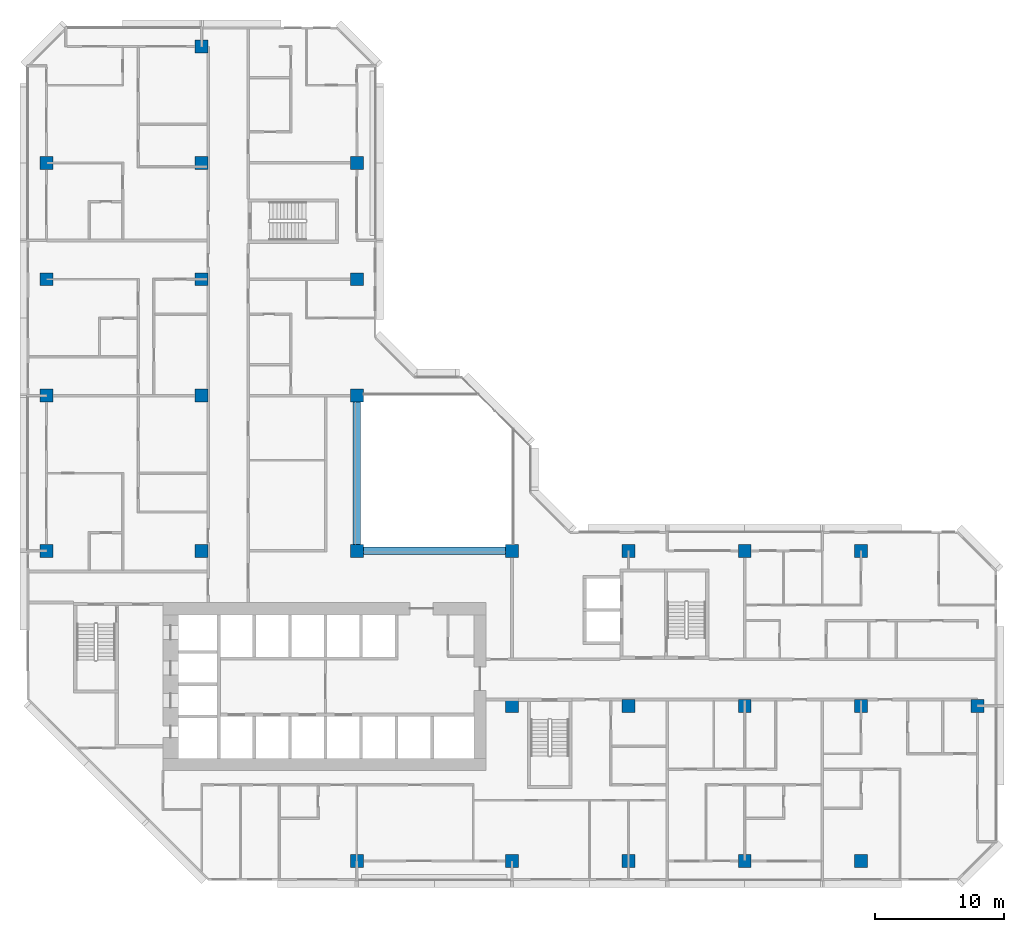
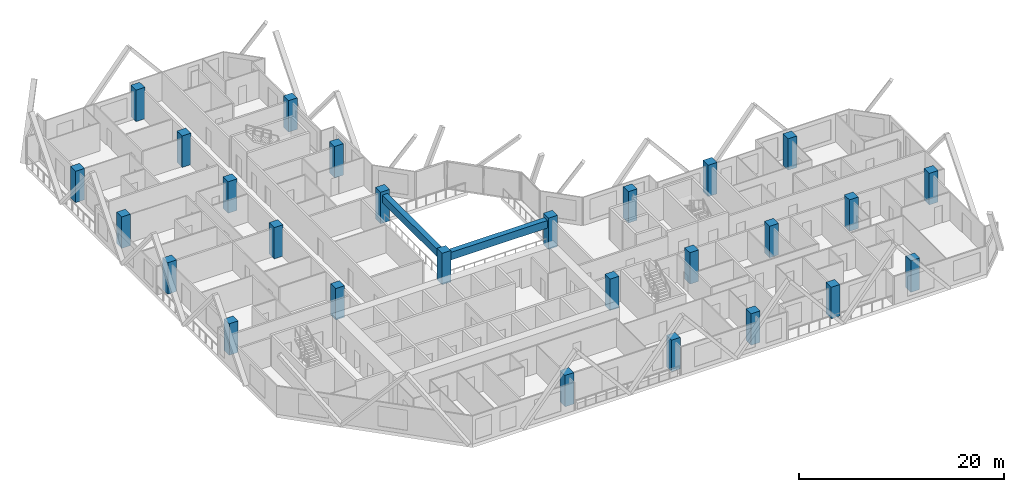
# One storey, part 1 of 15: 27 columns, 2 beams.
"""IFC4 building model written with IfcOpenShell, lengths in metres."""

from ifc_helpers import new_model, si_unit, direction, frame, origin, origin_2d, place, context, subcontext, project, spatial, rectangle, extrude, material, material_profile, profile_set, type_object, element, save


model = new_model("IFC4")

# Units and contexts
model_context = context("Model", 3, precision=1e-05, world=origin(), true_north=direction((0.0, 1.0)))
body_context = subcontext(model_context, "Body", "Model", "MODEL_VIEW")
ifc_project = project(units=[si_unit("LENGTHUNIT", "METRE"), si_unit("AREAUNIT", "SQUARE_METRE"), si_unit("VOLUMEUNIT", "CUBIC_METRE"), si_unit("PLANEANGLEUNIT", "RADIAN"), si_unit("MASSUNIT", "GRAM", prefix="KILO")], contexts=[model_context])

# Site, building, storey
site_placement = place(None, origin())
site = spatial("IfcSite", under=ifc_project, at=site_placement, CompositionType="ELEMENT")
building_placement = place(site_placement, origin())
building = spatial("IfcBuilding", under=site, at=building_placement, Name="Chenar Terraces", CompositionType="ELEMENT")
storey_placement = place(building_placement, frame((0.0, 0.0, 106.89990234375)))
storey = spatial("IfcBuildingStorey", under=building, at=storey_placement, Name="L24", CompositionType="ELEMENT", Elevation=106.89990234375)

# Columns
ifc_material_1 = material(Name="Concrete C70/85", Category="concrete")
ifc_material_profile_1 = material_profile(ifc_material_1, rectangle(XDim=1.0, YDim=1.0, at=origin_2d()), Name="C 1000 x 1000")
ifc_profile_set_1 = profile_set([ifc_material_profile_1], Name="Concrete C70/85")
column_type = type_object("IfcColumnType", Name="Column C 1000 x 1000 Concrete C70/85", PredefinedType="COLUMN", material=ifc_profile_set_1)
column_1_placement = place(storey_placement, frame((0.0, 24.0, 0.0), z_axis=(0.0, 0.0, 1.0), x_axis=(1.0, 0.0, 0.0)))
element("IfcColumn", 1, at=column_1_placement, inside=storey, type_object=column_type, Name="Column 5/G L24", PredefinedType="COLUMN", context=body_context, shape_type="SweptSolid", body=[
    extrude(rectangle(XDim=1.0, YDim=1.0, at=origin_2d()), origin(), (0.0, 0.0, 1.0), 3.75),
])
column_2_placement = place(storey_placement, frame((0.0, 36.0, 0.0), z_axis=(0.0, 0.0, 1.0), x_axis=(1.0, 0.0, 0.0)))
element("IfcColumn", 2, at=column_2_placement, inside=storey, type_object=column_type, Name="Column 5/H L24", PredefinedType="COLUMN", context=body_context, shape_type="SweptSolid", body=[
    extrude(rectangle(XDim=1.0, YDim=1.0, at=origin_2d()), origin(), (0.0, 0.0, 1.0), 3.75),
])
column_3_placement = place(storey_placement, frame((0.0, 45.0, 0.0), z_axis=(0.0, 0.0, 1.0), x_axis=(1.0, 0.0, 0.0)))
element("IfcColumn", 3, at=column_3_placement, inside=storey, type_object=column_type, Name="Column 5/J L24", PredefinedType="COLUMN", context=body_context, shape_type="SweptSolid", body=[
    extrude(rectangle(XDim=1.0, YDim=1.0, at=origin_2d()), origin(), (0.0, 0.0, 1.0), 3.75),
])
for number, where, z_axis, x_axis, name in (
    (4, (0.0, 54.0, 0.0), (0.0, 0.0, 1.0), (1.0, 0.0, 0.0), "Column 5/K L24"),
    (5, (12.0, 24.0, 0.0), (0.0, 0.0, 1.0), (1.0, 0.0, 0.0), "Column 6/G L24"),
    (6, (12.0, 36.0, 0.0), (0.0, 0.0, 1.0), (1.0, 0.0, 0.0), "Column 6/H L24"),
    (7, (12.0, 45.0, 0.0), (0.0, 0.0, 1.0), (1.0, 0.0, 0.0), "Column 6/J L24"),
    (8, (12.0, 54.0, 0.0), (0.0, 0.0, 1.0), (1.0, 0.0, 0.0), "Column 6/K L24"),
    (9, (12.0, 63.0, 0.0), (0.0, 0.0, 1.0), (1.0, 0.0, 0.0), "Column 6/L L24"),
    (10, (24.0, 0.0, 0.0), (0.0, 0.0, 1.0), (1.0, 0.0, 0.0), "Column 7/E L24"),
    (11, (24.0, 24.0, 0.0), (0.0, 0.0, 1.0), (1.0, 0.0, 0.0), "Column 7/G L24"),
    (12, (24.0, 36.0, 0.0), (0.0, 0.0, 1.0), (1.0, 0.0, 0.0), "Column 7/H L24"),
    (13, (24.0, 45.0, 0.0), (0.0, 0.0, 1.0), (1.0, 0.0, 0.0), "Column 7/J L24"),
    (14, (24.0, 54.0, 0.0), (0.0, 0.0, 1.0), (1.0, 0.0, 0.0), "Column 7/K L24"),
    (15, (36.0, 0.0, 0.0), (0.0, 0.0, 1.0), (1.0, 0.0, 0.0), "Column 8/E L24"),
    (16, (36.0, 12.0, 0.0), (0.0, 0.0, 1.0), (1.0, 0.0, 0.0), "Column 8/F L24"),
    (17, (36.0, 24.0, 0.0), (0.0, 0.0, 1.0), (1.0, 0.0, 0.0), "Column 8/G L24"),
    (18, (45.0, 0.0, 0.0), (0.0, 0.0, 1.0), (1.0, 0.0, 0.0), "Column 9/E L24"),
    (19, (45.0, 12.0, 0.0), (0.0, 0.0, 1.0), (1.0, 0.0, 0.0), "Column 9/F L24"),
    (20, (45.0, 24.0, 0.0), (0.0, 0.0, 1.0), (1.0, 0.0, 0.0), "Column 9/G L24"),
    (21, (54.0, 0.0, 0.0), (0.0, 0.0, 1.0), (1.0, 0.0, 0.0), "Column 10/E L24"),
    (22, (54.0, 12.0, 0.0), (0.0, 0.0, 1.0), (1.0, 0.0, 0.0), "Column 10/F L24"),
    (23, (54.0, 24.0, 0.0), (0.0, 0.0, 1.0), (1.0, 0.0, 0.0), "Column 10/G L24"),
    (24, (63.0, 0.0, 0.0), (0.0, 0.0, 1.0), (1.0, 0.0, 0.0), "Column 11/E L24"),
    (25, (63.0, 12.0, 0.0), (0.0, 0.0, 1.0), (1.0, 0.0, 0.0), "Column 11/F L24"),
    (26, (63.0, 24.0, 0.0), (0.0, 0.0, 1.0), (1.0, 0.0, 0.0), "Column 11/G L24"),
    (27, (72.0, 12.0, 0.0), (0.0, 0.0, 1.0), (1.0, 0.0, 0.0), "Column 12/F L24"),
):
    element("IfcColumn", number, at=place(storey_placement, frame(where, z_axis=z_axis, x_axis=x_axis)), inside=storey, type_object=column_type, Name=name, PredefinedType="COLUMN", context=body_context, shape_type="SweptSolid", body=[
        extrude(rectangle(XDim=1.0, YDim=1.0, at=origin_2d()), origin(), (0.0, 0.0, 1.0), 3.75),
    ])

# Beams
ifc_material_2 = material(Name="Concrete C40/50", Category="concrete")
ifc_material_profile_2 = material_profile(ifc_material_2, rectangle(XDim=0.60009765625, YDim=0.89990234375, at=origin_2d()), Name="RC 600 x 900")
ifc_profile_set_2 = profile_set([ifc_material_profile_2], Name="Concrete C40/50")
beam_type = type_object("IfcBeamType", Name="Atrium edge beam 600 x 900 Concrete C40/50", PredefinedType="BEAM", material=ifc_profile_set_2)
for number, where, z_axis, x_axis, name in (
    (28, (24.5, 24.0, 2.900146484375), (1.0, 0.0, 0.0), (0.0, 1.0, 0.0), "Atrium edge beam L25 1"),
    (29, (24.0, 35.5, 2.900146484375), (0.0, -1.0, 0.0), (1.0, 0.0, 0.0), "Atrium edge beam L25 4"),
):
    element("IfcBeam", number, at=place(storey_placement, frame(where, z_axis=z_axis, x_axis=x_axis)), inside=storey, type_object=beam_type, Name=name, PredefinedType="BEAM", context=body_context, shape_type="SweptSolid", body=[
        extrude(rectangle(XDim=0.60009765625, YDim=0.89990234375, at=origin_2d()), origin(), (0.0, 0.0, 1.0), 11.0),
    ])

save(model, "model.ifc")
